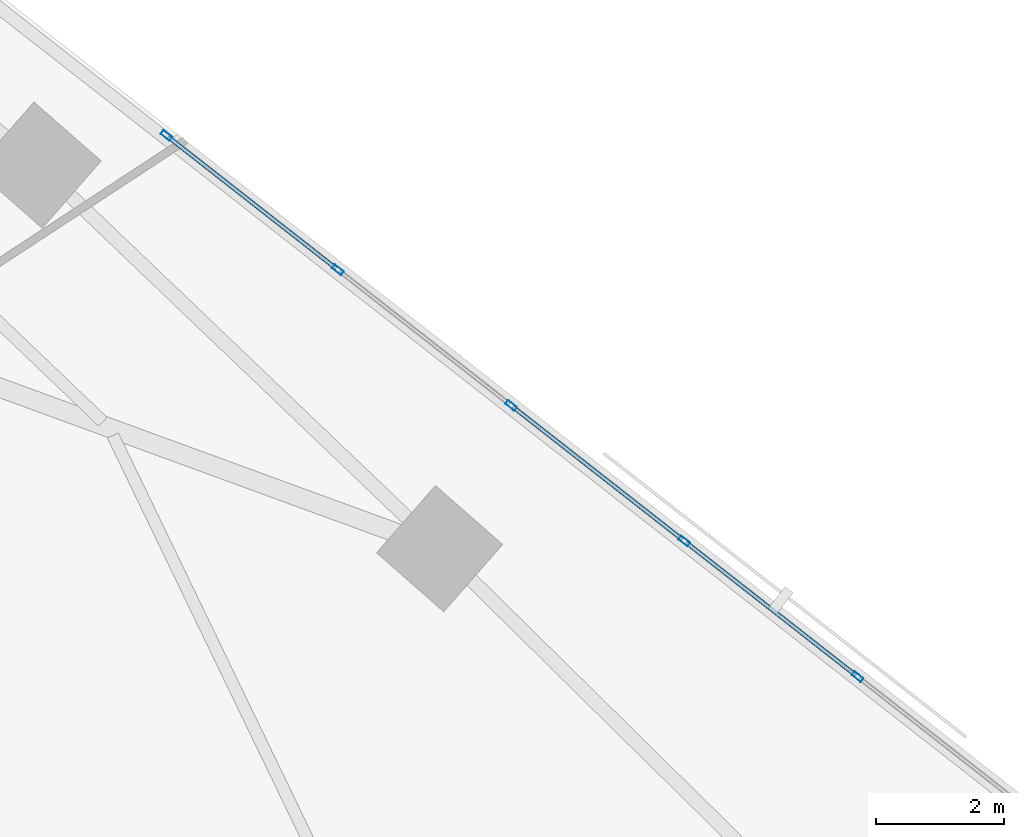
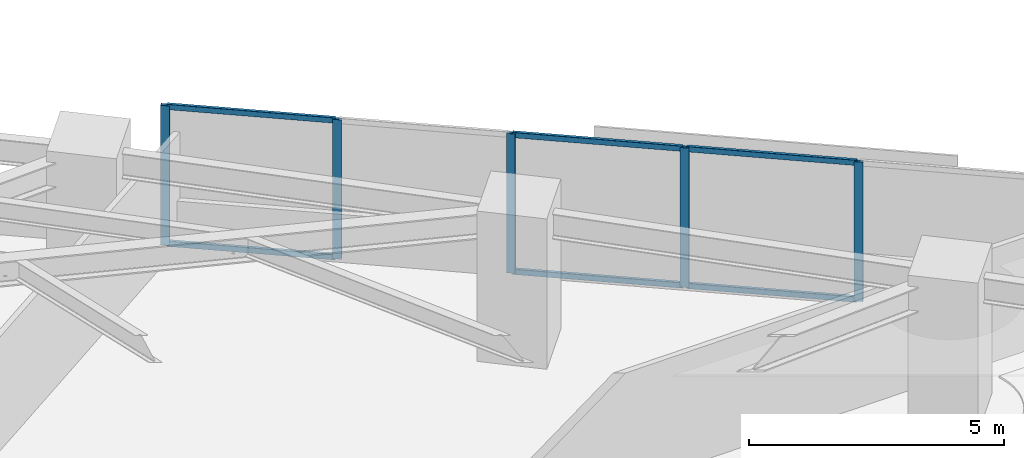
# One storey, part 7 of 17: 11 members, 1 element without a shape of its own.
"""IFC4 building model written with IfcOpenShell, lengths in metres."""

from ifc_helpers import new_model, si_unit, direction, frame, origin, origin_2d, place, context, subcontext, project, spatial, hollow_rectangle, extrude, material, material_profile, profile_set, type_object, element, aggregate, save


model = new_model("IFC4")

# Units and contexts
model_context = context("Model", 3, precision=1e-05, world=origin(), true_north=direction((0.0, 1.0)))
body_context = subcontext(model_context, "Body", "Model", "MODEL_VIEW")
ifc_project = project(units=[si_unit("LENGTHUNIT", "METRE"), si_unit("AREAUNIT", "SQUARE_METRE"), si_unit("VOLUMEUNIT", "CUBIC_METRE"), si_unit("PLANEANGLEUNIT", "RADIAN"), si_unit("MASSUNIT", "GRAM", prefix="KILO")], contexts=[model_context])

# Site, building, storey
site_placement = place(None, origin())
site = spatial("IfcSite", under=ifc_project, at=site_placement, CompositionType="ELEMENT")
building_placement = place(site_placement, origin())
building = spatial("IfcBuilding", under=site, at=building_placement, Name="Narakoshi Arena Tower", CompositionType="ELEMENT")
storey_placement = place(building_placement, frame((0.0, 0.0, 63.300048828125)))
storey = spatial("IfcBuildingStorey", under=building, at=storey_placement, Name="L16", CompositionType="ELEMENT", Elevation=63.300048828125)

# Curtain wall, members
ifc_material = material(Name="Anodised bronze aluminium 6063-T6", Category="aluminium")
curtain_wall_type = type_object("IfcCurtainWallType", Name="CW-HYP-LOW", PredefinedType="NOTDEFINED", material=ifc_material)
curtain_wall_placement = place(storey_placement, origin())
curtain_wall = element("IfcCurtainWall", 1, at=curtain_wall_placement, inside=storey, type_object=curtain_wall_type, Name="L16 Folded Hypotenuse Curtain Wall 1-1", PredefinedType="NOTDEFINED")
ifc_material_profile_1 = material_profile(ifc_material, hollow_rectangle(XDim=0.074951171875, YDim=0.179931640625, WallThickness=0.00390625, OuterFilletRadius=0.0048828125, at=origin_2d()), Name="MUL180x75x4")
ifc_profile_set_1 = profile_set([ifc_material_profile_1], Name="Anodised bronze aluminium 6063-T6")
member_type_1 = type_object("IfcMemberType", Name="MEM-MUL-180", PredefinedType="MULLION", material=ifc_profile_set_1)
member_1_placement = place(storey_placement, frame((107.304443359375, 48.927490234375, 0.0), z_axis=(0.0, 0.0, 1.0), x_axis=(-0.616458234641, -0.787387607817, 0.0)))
member_1 = element("IfcMember", 2, at=member_1_placement, type_object=member_type_1, Name="CW-01 mullion 6", PredefinedType="MULLION", context=body_context, shape_type="SweptSolid", body=[
    extrude(hollow_rectangle(XDim=0.074951171875, YDim=0.179931640625, WallThickness=0.00390625, OuterFilletRadius=0.0048828125, at=origin_2d()), origin(), (0.0, 0.0, 1.0), 3.33984375),
])
member_2_placement = place(storey_placement, frame((104.5927734375, 51.050537109375, 0.0), z_axis=(0.0, 0.0, 1.0), x_axis=(-0.616458234641, -0.787387607817, 0.0)))
member_2 = element("IfcMember", 3, at=member_2_placement, type_object=member_type_1, Name="CW-01 mullion 7", PredefinedType="MULLION", context=body_context, shape_type="SweptSolid", body=[
    extrude(hollow_rectangle(XDim=0.074951171875, YDim=0.179931640625, WallThickness=0.00390625, OuterFilletRadius=0.0048828125, at=origin_2d()), origin(), (0.0, 0.0, 1.0), 3.33984375),
])
member_3_placement = place(storey_placement, frame((101.88134765625, 53.17333984375, 0.0), z_axis=(0.0, 0.0, 1.0), x_axis=(-0.616458234641, -0.787387607817, 0.0)))
member_3 = element("IfcMember", 4, at=member_3_placement, type_object=member_type_1, Name="CW-01 mullion 8", PredefinedType="MULLION", context=body_context, shape_type="SweptSolid", body=[
    extrude(hollow_rectangle(XDim=0.074951171875, YDim=0.179931640625, WallThickness=0.00390625, OuterFilletRadius=0.0048828125, at=origin_2d()), origin(), (0.0, 0.0, 1.0), 3.33984375),
])
member_4_placement = place(storey_placement, frame((99.169677734375, 55.29638671875, 0.0), z_axis=(0.0, 0.0, 1.0), x_axis=(-0.616458234641, -0.787387607817, 0.0)))
member_4 = element("IfcMember", 5, at=member_4_placement, type_object=member_type_1, Name="CW-01 mullion 9", PredefinedType="MULLION", context=body_context, shape_type="SweptSolid", body=[
    extrude(hollow_rectangle(XDim=0.074951171875, YDim=0.179931640625, WallThickness=0.00390625, OuterFilletRadius=0.0048828125, at=origin_2d()), origin(), (0.0, 0.0, 1.0), 3.33984375),
])
member_5_placement = place(storey_placement, frame((96.48779296875, 57.39599609375, 0.0), z_axis=(0.0, 0.0, 1.0), x_axis=(-0.616458234641, -0.787387607817, 0.0)))
member_5 = element("IfcMember", 6, at=member_5_placement, type_object=member_type_1, Name="CW-01 mullion 10", PredefinedType="MULLION", context=body_context, shape_type="SweptSolid", body=[
    extrude(hollow_rectangle(XDim=0.074951171875, YDim=0.179931640625, WallThickness=0.00390625, OuterFilletRadius=0.0048828125, at=origin_2d()), origin(), (0.0, 0.0, 1.0), 3.33984375),
])
ifc_material_profile_2 = material_profile(ifc_material, hollow_rectangle(XDim=0.06494140625, YDim=0.1298828125, WallThickness=0.00390625, OuterFilletRadius=0.0048828125, at=origin_2d()), Name="TRN130x65x4")
ifc_profile_set_2 = profile_set([ifc_material_profile_2], Name="Anodised bronze aluminium 6063-T6")
member_type_2 = type_object("IfcMemberType", Name="MEM-TRN-130", PredefinedType="USERDEFINED", material=ifc_profile_set_2)
member_6_placement = place(storey_placement, frame((107.27490234375, 48.95068359375, 0.032470703125), z_axis=(-0.787400998112, 0.616441131149, 0.0), x_axis=(-0.616441131149, -0.787400998112, 0.0)))
member_6 = element("IfcMember", 7, at=member_6_placement, type_object=member_type_2, Name="CW-01 transom 6.1", ObjectType="TRANSOM", PredefinedType="USERDEFINED", context=body_context, shape_type="SweptSolid", body=[
    extrude(hollow_rectangle(XDim=0.06494140625, YDim=0.1298828125, WallThickness=0.00390625, OuterFilletRadius=0.0048828125, at=origin_2d()), origin(), (0.0, 0.0, 1.0), 3.368896484375),
])
member_7_placement = place(storey_placement, frame((107.27490234375, 48.95068359375, 3.307373046875), z_axis=(-0.787400998112, 0.616441131149, 0.0), x_axis=(-0.616441131149, -0.787400998112, 0.0)))
member_7 = element("IfcMember", 8, at=member_7_placement, type_object=member_type_2, Name="CW-01 transom 6.2", ObjectType="TRANSOM", PredefinedType="USERDEFINED", context=body_context, shape_type="SweptSolid", body=[
    extrude(hollow_rectangle(XDim=0.06494140625, YDim=0.1298828125, WallThickness=0.00390625, OuterFilletRadius=0.0048828125, at=origin_2d()), origin(), (0.0, 0.0, 1.0), 3.368896484375),
])
member_8_placement = place(storey_placement, frame((104.563232421875, 51.073486328125, 0.032470703125), z_axis=(-0.787373456673, 0.616476309137, 0.0), x_axis=(-0.616476309137, -0.787373456673, 0.0)))
member_8 = element("IfcMember", 9, at=member_8_placement, type_object=member_type_2, Name="CW-01 transom 7.1", ObjectType="TRANSOM", PredefinedType="USERDEFINED", context=body_context, shape_type="SweptSolid", body=[
    extrude(hollow_rectangle(XDim=0.06494140625, YDim=0.1298828125, WallThickness=0.00390625, OuterFilletRadius=0.0048828125, at=origin_2d()), origin(), (0.0, 0.0, 1.0), 3.36865234375),
])
member_9_placement = place(storey_placement, frame((104.563232421875, 51.073486328125, 3.307373046875), z_axis=(-0.787373456673, 0.616476309137, 0.0), x_axis=(-0.616476309137, -0.787373456673, 0.0)))
member_9 = element("IfcMember", 10, at=member_9_placement, type_object=member_type_2, Name="CW-01 transom 7.2", ObjectType="TRANSOM", PredefinedType="USERDEFINED", context=body_context, shape_type="SweptSolid", body=[
    extrude(hollow_rectangle(XDim=0.06494140625, YDim=0.1298828125, WallThickness=0.00390625, OuterFilletRadius=0.0048828125, at=origin_2d()), origin(), (0.0, 0.0, 1.0), 3.36865234375),
])
member_10_placement = place(storey_placement, frame((99.14013671875, 55.3193359375, 0.032470703125), z_axis=(-0.787347227026, 0.616509808596, 0.0), x_axis=(-0.616509808596, -0.787347227026, 0.0)))
member_10 = element("IfcMember", 11, at=member_10_placement, type_object=member_type_2, Name="CW-01 transom 9.1", ObjectType="TRANSOM", PredefinedType="USERDEFINED", context=body_context, shape_type="SweptSolid", body=[
    extrude(hollow_rectangle(XDim=0.06494140625, YDim=0.1298828125, WallThickness=0.00390625, OuterFilletRadius=0.0048828125, at=origin_2d()), origin(), (0.0, 0.0, 1.0), 3.331298828125),
])
member_11_placement = place(storey_placement, frame((99.14013671875, 55.3193359375, 3.307373046875), z_axis=(-0.787347227026, 0.616509808596, 0.0), x_axis=(-0.616509808596, -0.787347227026, 0.0)))
member_11 = element("IfcMember", 12, at=member_11_placement, type_object=member_type_2, Name="CW-01 transom 9.2", ObjectType="TRANSOM", PredefinedType="USERDEFINED", context=body_context, shape_type="SweptSolid", body=[
    extrude(hollow_rectangle(XDim=0.06494140625, YDim=0.1298828125, WallThickness=0.00390625, OuterFilletRadius=0.0048828125, at=origin_2d()), origin(), (0.0, 0.0, 1.0), 3.331298828125),
])
aggregate(curtain_wall, [member_1, member_2, member_3, member_4, member_5, member_6, member_7, member_8, member_9, member_10, member_11])

save(model, "model.ifc")
